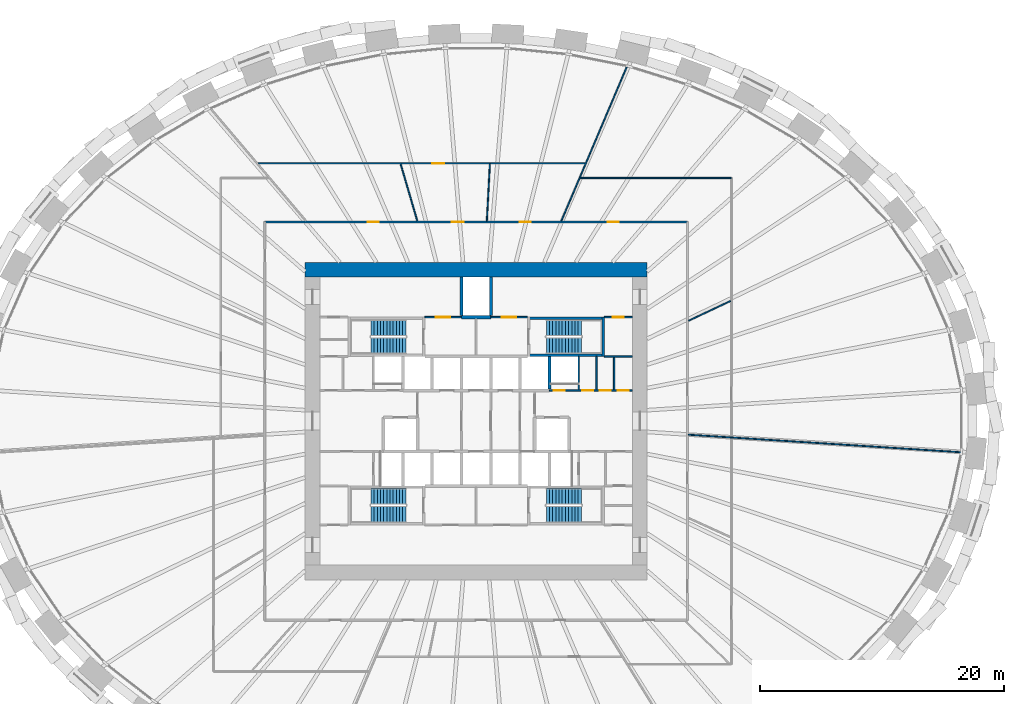
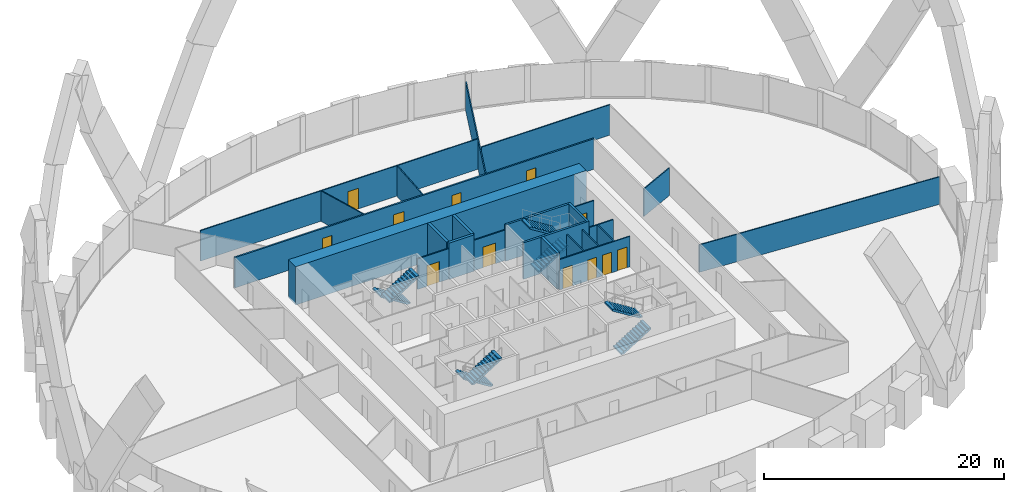
# One storey, part 10 of 12: 24 walls, 12 doors, 8 stair flights, 12 openings, 4 elements without a shape of their own.
"""IFC4 building model written with IfcOpenShell, lengths in metres."""

from ifc_helpers import new_model, si_unit, direction, frame, frame_2d, origin, place, context, subcontext, project, spatial, polyline, rectangle, outline, extrude, source, transform, mapped, material, layer, layer_set, type_object, element, fill, aggregate, save


model = new_model("IFC4")

# Units and contexts
model_context = context("Model", 3, precision=1e-05, world=origin(), true_north=direction((0.0, 1.0)))
body_context = subcontext(model_context, "Body", "Model", "MODEL_VIEW")
ifc_project = project(units=[si_unit("LENGTHUNIT", "METRE"), si_unit("AREAUNIT", "SQUARE_METRE"), si_unit("VOLUMEUNIT", "CUBIC_METRE"), si_unit("PLANEANGLEUNIT", "RADIAN"), si_unit("MASSUNIT", "GRAM", prefix="KILO")], contexts=[model_context])

# Site, building, storey
site_placement = place(None, origin())
site = spatial("IfcSite", under=ifc_project, at=site_placement, CompositionType="ELEMENT")
building_placement = place(site_placement, origin())
building = spatial("IfcBuilding", under=site, at=building_placement, Name="Embergate Tower", CompositionType="ELEMENT")
storey_placement = place(building_placement, frame((0.0, 0.0, 85.39990234375)))
storey = spatial("IfcBuildingStorey", under=building, at=storey_placement, Name="L17", CompositionType="ELEMENT", Elevation=85.39990234375)

# Wall
ifc_material_1 = material(Name="Concrete C80", Category="concrete")
ifc_layer_1 = layer(ifc_material_1, 1.199951171875)
ifc_layer_set_1 = layer_set([ifc_layer_1], Name="Concrete C80")
wall_type_1 = type_object("IfcWallType", Name="Core outer wall C80 1200", PredefinedType="SHEAR", material=ifc_layer_set_1)
shared_shape_1 = source(origin(), body_context, "Body", "SweptSolid", [
    extrude(rectangle(XDim=28.0, YDim=1.199951171875, at=frame_2d((14.0, 0.0))), origin(), (0.0, 0.0, 1.0), 3.900146484375),
])
wall_1_placement = place(storey_placement, frame((-14.0, 12.39990234375, -0.199951171875), z_axis=(0.0, 0.0, 1.0), x_axis=(1.0, 0.0, 0.0)))
element("IfcWall", 1, at=wall_1_placement, inside=storey, type_object=wall_type_1, Name="CW-L17-N", PredefinedType="SHEAR", context=body_context, shape_type="MappedRepresentation", body=[
    mapped(shared_shape_1, transform((0.0, 0.0, 0.0))),
])

# Wall, openings, doors
ifc_material_2 = material(Name="Core partition blockwork 120")
ifc_layer_2 = layer(ifc_material_2, 0.1201171875)
ifc_layer_set_2 = layer_set([ifc_layer_2], Name="Core partition blockwork 120")
wall_type_2 = type_object("IfcWallType", Name="Core partition blockwork 120", PredefinedType="PARTITIONING", material=ifc_layer_set_2)
shared_shape_2 = source(origin(), body_context, "Body", "SweptSolid", [
    extrude(rectangle(XDim=6.800048828125, YDim=0.1201171875, at=frame_2d((3.39990234375, 0.0))), origin(), (0.0, 0.0, 1.0), 3.10009765625),
])
wall_2_placement = place(storey_placement, frame((6.0, 2.5, 0.0), z_axis=(0.0, 0.0, 1.0), x_axis=(1.0, 0.0, 0.0)))
wall_2 = element("IfcWall", 2, at=wall_2_placement, inside=storey, type_object=wall_type_2, Name="IP-3 wall", PredefinedType="PARTITIONING", context=body_context, shape_type="MappedRepresentation", body=[
    mapped(shared_shape_2, transform((0.0, 0.0, 0.0))),
])
shared_shape_3 = source(origin(), body_context, "Body", "SweptSolid", [
    extrude(rectangle(XDim=0.89990234375, YDim=2.10009765625, at=frame_2d((0.449951171875, 1.050048828125))), frame((0.0, 0.070068359375, 0.0), z_axis=(0.0, -1.0, 0.0), x_axis=(1.0, 0.0, 0.0)), (0.0, 0.0, 1.0), 0.14013671875),
])
opening_1_placement = place(wall_2_placement, frame((0.35009765625, 0.0, 0.0)))
opening_1 = element("IfcOpeningElement", 3, at=opening_1_placement, cuts=wall_2, Name="Opening ID-1", PredefinedType="OPENING", context=body_context, shape_type="MappedRepresentation", body=[
    mapped(shared_shape_3, transform((0.0, 0.0, 0.0))),
])
opening_2_placement = place(wall_2_placement, frame((2.676025390625, 0.0, 0.0)))
opening_2 = element("IfcOpeningElement", 4, at=opening_2_placement, cuts=wall_2, Name="Opening ID-1", PredefinedType="OPENING", context=body_context, shape_type="MappedRepresentation", body=[
    mapped(shared_shape_3, transform((0.0, 0.0, 0.0))),
])
opening_3_placement = place(wall_2_placement, frame((4.1279296875, 0.0, 0.0)))
opening_3 = element("IfcOpeningElement", 5, at=opening_3_placement, cuts=wall_2, Name="Opening ID-1", PredefinedType="OPENING", context=body_context, shape_type="MappedRepresentation", body=[
    mapped(shared_shape_3, transform((0.0, 0.0, 0.0))),
])
opening_4_placement = place(wall_2_placement, frame((5.60205078125, 0.0, 0.0)))
opening_4 = element("IfcOpeningElement", 6, at=opening_4_placement, cuts=wall_2, Name="Opening ID-1", PredefinedType="OPENING", context=body_context, shape_type="MappedRepresentation", body=[
    mapped(shared_shape_3, transform((0.0, 0.0, 0.0))),
])
ifc_material_3 = material(Name="Interior door 900")
door_type_1 = type_object("IfcDoorType", Name="Interior door 900", OperationType="SINGLE_SWING_LEFT", PredefinedType="DOOR", material=ifc_material_3)
shared_shape_4 = source(origin(), body_context, "Body", "SweptSolid", [
    extrude(rectangle(XDim=0.89990234375, YDim=2.10009765625, at=frame_2d((0.449951171875, 1.050048828125))), frame((0.0, 0.02490234375, 0.0), z_axis=(0.0, -1.0, 0.0), x_axis=(1.0, 0.0, 0.0)), (0.0, 0.0, 1.0), 0.050048828125),
])
door_1_placement = place(opening_1_placement, origin())
door_1 = element("IfcDoor", 7, at=door_1_placement, inside=storey, type_object=door_type_1, Name="ID-1 door", OperationType="SINGLE_SWING_LEFT", OverallHeight=2.10009765625, OverallWidth=0.89990234375, PredefinedType="DOOR", context=body_context, shape_type="MappedRepresentation", body=[
    mapped(shared_shape_4, transform((0.0, 0.0, 0.0))),
])
fill(opening_1, door_1)
door_2_placement = place(opening_2_placement, origin())
door_2 = element("IfcDoor", 8, at=door_2_placement, inside=storey, type_object=door_type_1, Name="ID-1 door", OperationType="SINGLE_SWING_RIGHT", OverallHeight=2.10009765625, OverallWidth=0.89990234375, PredefinedType="DOOR", context=body_context, shape_type="MappedRepresentation", body=[
    mapped(shared_shape_4, transform((0.0, 0.0, 0.0))),
])
fill(opening_2, door_2)
door_3_placement = place(opening_3_placement, origin())
door_3 = element("IfcDoor", 9, at=door_3_placement, inside=storey, type_object=door_type_1, Name="ID-1 door", OperationType="SINGLE_SWING_RIGHT", OverallHeight=2.10009765625, OverallWidth=0.89990234375, PredefinedType="DOOR", context=body_context, shape_type="MappedRepresentation", body=[
    mapped(shared_shape_4, transform((0.0, 0.0, 0.0))),
])
fill(opening_3, door_3)
door_4_placement = place(opening_4_placement, origin())
door_4 = element("IfcDoor", 10, at=door_4_placement, inside=storey, type_object=door_type_1, Name="ID-1 door", OperationType="SINGLE_SWING_LEFT", OverallHeight=2.10009765625, OverallWidth=0.89990234375, PredefinedType="DOOR", context=body_context, shape_type="MappedRepresentation", body=[
    mapped(shared_shape_4, transform((0.0, 0.0, 0.0))),
])
fill(opening_4, door_4)

# Walls
shared_shape_5 = source(origin(), body_context, "Body", "SweptSolid", [
    extrude(rectangle(XDim=2.739990234375, YDim=0.1201171875, at=frame_2d((1.3701171875, 0.0))), origin(), (0.0, 0.0, 1.0), 3.10009765625),
])
for number, where, z_axis, x_axis, name in (
    (11, (8.39990234375, 2.56005859375, 0.0), (0.0, 0.0, 1.0), (0.0, 1.0, 0.0), "IP-3 wall"),
    (12, (9.85205078125, 2.56005859375, 0.0), (0.0, 0.0, 1.0), (0.0, 1.0, 0.0), "IP-3 wall"),
):
    element("IfcWall", number, at=place(storey_placement, frame(where, z_axis=z_axis, x_axis=x_axis)), inside=storey, type_object=wall_type_2, Name=name, PredefinedType="PARTITIONING", context=body_context, shape_type="MappedRepresentation", body=[
        mapped(shared_shape_5, transform((0.0, 0.0, 0.0))),
    ])

# Wall, opening, door
shared_shape_6 = source(origin(), body_context, "Body", "SweptSolid", [
    extrude(rectangle(XDim=3.0, YDim=0.1201171875, at=frame_2d((1.5, 0.0))), origin(), (0.0, 0.0, 1.0), 3.10009765625),
])
wall_3_placement = place(storey_placement, frame((-1.199951171875, 8.5, 0.0), z_axis=(0.0, 0.0, 1.0), x_axis=(-1.0, 0.0, 0.0)))
wall_3 = element("IfcWall", 13, at=wall_3_placement, inside=storey, type_object=wall_type_2, Name="IP-3 wall", PredefinedType="PARTITIONING", context=body_context, shape_type="MappedRepresentation", body=[
    mapped(shared_shape_6, transform((0.0, 0.0, 0.0))),
])
shared_shape_7 = source(origin(), body_context, "Body", "SweptSolid", [
    extrude(rectangle(XDim=1.199951171875, YDim=2.10009765625, at=frame_2d((0.60009765625, 1.050048828125))), frame((0.0, 0.070068359375, 0.0), z_axis=(0.0, -1.0, 0.0), x_axis=(1.0, 0.0, 0.0)), (0.0, 0.0, 1.0), 0.14013671875),
])
opening_5_placement = place(wall_3_placement, frame((0.89990234375, 0.0, 0.0)))
opening_5 = element("IfcOpeningElement", 14, at=opening_5_placement, cuts=wall_3, Name="Opening IF-3f", PredefinedType="OPENING", context=body_context, shape_type="MappedRepresentation", body=[
    mapped(shared_shape_7, transform((0.0, 0.0, 0.0))),
])
ifc_material_4 = material(Name="Lobby fire door pair 1200")
door_type_2 = type_object("IfcDoorType", Name="Lobby fire door pair 1200", OperationType="DOUBLE_DOOR_SINGLE_SWING", PredefinedType="DOOR", material=ifc_material_4)
shared_shape_8 = source(origin(), body_context, "Body", "SweptSolid", [
    extrude(rectangle(XDim=1.199951171875, YDim=2.10009765625, at=frame_2d((0.60009765625, 1.050048828125))), frame((0.0, 0.02490234375, 0.0), z_axis=(0.0, -1.0, 0.0), x_axis=(1.0, 0.0, 0.0)), (0.0, 0.0, 1.0), 0.050048828125),
])
door_5_placement = place(opening_5_placement, origin())
door_5 = element("IfcDoor", 15, at=door_5_placement, inside=storey, type_object=door_type_2, Name="IF-3 door", OperationType="DOUBLE_DOOR_SINGLE_SWING", OverallHeight=2.10009765625, OverallWidth=1.199951171875, PredefinedType="DOOR", context=body_context, shape_type="MappedRepresentation", body=[
    mapped(shared_shape_8, transform((0.0, 0.0, 0.0))),
])
fill(opening_5, door_5)

wall_4_placement = place(storey_placement, frame((4.199951171875, 8.5, 0.0), z_axis=(0.0, 0.0, 1.0), x_axis=(-1.0, 0.0, 0.0)))
wall_4 = element("IfcWall", 16, at=wall_4_placement, inside=storey, type_object=wall_type_2, Name="IP-3 wall", PredefinedType="PARTITIONING", context=body_context, shape_type="MappedRepresentation", body=[
    mapped(shared_shape_6, transform((0.0, 0.0, 0.0))),
])
opening_6_placement = place(wall_4_placement, frame((0.89990234375, 0.0, 0.0)))
opening_6 = element("IfcOpeningElement", 17, at=opening_6_placement, cuts=wall_4, Name="Opening IF-3f", PredefinedType="OPENING", context=body_context, shape_type="MappedRepresentation", body=[
    mapped(shared_shape_7, transform((0.0, 0.0, 0.0))),
])
door_6_placement = place(opening_6_placement, origin())
door_6 = element("IfcDoor", 18, at=door_6_placement, inside=storey, type_object=door_type_2, Name="IF-3 door", OperationType="DOUBLE_DOOR_SINGLE_SWING", OverallHeight=2.10009765625, OverallWidth=1.199951171875, PredefinedType="DOOR", context=body_context, shape_type="MappedRepresentation", body=[
    mapped(shared_shape_8, transform((0.0, 0.0, 0.0))),
])
fill(opening_6, door_6)

shared_shape_9 = source(origin(), body_context, "Body", "SweptSolid", [
    extrude(rectangle(XDim=2.300048828125, YDim=0.1201171875, at=frame_2d((1.14990234375, 0.0))), origin(), (0.0, 0.0, 1.0), 3.10009765625),
])
wall_5_placement = place(storey_placement, frame((10.5, 8.5, 0.0), z_axis=(0.0, 0.0, 1.0), x_axis=(1.0, 0.0, 0.0)))
wall_5 = element("IfcWall", 19, at=wall_5_placement, inside=storey, type_object=wall_type_2, Name="IP-3 wall", PredefinedType="PARTITIONING", context=body_context, shape_type="MappedRepresentation", body=[
    mapped(shared_shape_9, transform((0.0, 0.0, 0.0))),
])
opening_7_placement = place(wall_5_placement, frame((0.699951171875, 0.0, 0.0)))
opening_7 = element("IfcOpeningElement", 20, at=opening_7_placement, cuts=wall_5, Name="Opening ID-1", PredefinedType="OPENING", context=body_context, shape_type="MappedRepresentation", body=[
    mapped(shared_shape_3, transform((0.0, 0.0, 0.0))),
])
door_7_placement = place(opening_7_placement, origin())
door_7 = element("IfcDoor", 21, at=door_7_placement, inside=storey, type_object=door_type_1, Name="ID-1 door", OperationType="SINGLE_SWING_RIGHT", OverallHeight=2.10009765625, OverallWidth=0.89990234375, PredefinedType="DOOR", context=body_context, shape_type="MappedRepresentation", body=[
    mapped(shared_shape_4, transform((0.0, 0.0, 0.0))),
])
fill(opening_7, door_7)

# Walls
wall_6_placement = place(storey_placement, frame((12.800048828125, 5.300048828125, 0.0), z_axis=(0.0, 0.0, 1.0), x_axis=(-1.0, 0.0, 0.0)))
element("IfcWall", 22, at=wall_6_placement, inside=storey, type_object=wall_type_2, Name="IP-3 wall", PredefinedType="PARTITIONING", context=body_context, shape_type="MappedRepresentation", body=[
    mapped(shared_shape_9, transform((0.0, 0.0, 0.0))),
])
shared_shape_10 = source(origin(), body_context, "Body", "SweptSolid", [
    extrude(rectangle(XDim=2.679931640625, YDim=0.1201171875, at=frame_2d((1.33984375, 0.0))), origin(), (0.0, 0.0, 1.0), 3.10009765625),
])
wall_7_placement = place(storey_placement, frame((11.303955078125, 2.56005859375, 0.0), z_axis=(0.0, 0.0, 1.0), x_axis=(0.0, 1.0, 0.0)))
element("IfcWall", 23, at=wall_7_placement, inside=storey, type_object=wall_type_2, Name="IP-3 wall", PredefinedType="PARTITIONING", context=body_context, shape_type="MappedRepresentation", body=[
    mapped(shared_shape_10, transform((0.0, 0.0, 0.0))),
])
ifc_material_5 = material(Name="Concrete C50", Category="concrete")
ifc_layer_3 = layer(ifc_material_5, 0.25)
ifc_layer_set_3 = layer_set([ifc_layer_3], Name="Concrete C50")
wall_type_3 = type_object("IfcWallType", Name="Hoistway wall reinforced concrete 250", PredefinedType="SHEAR", material=ifc_layer_set_3)
shared_shape_11 = source(origin(), body_context, "Body", "SweptSolid", [
    extrude(rectangle(XDim=2.675048828125, YDim=0.25, at=frame_2d((1.33740234375, 0.0))), origin(), (0.0, 0.0, 1.0), 3.7001953125),
])
wall_8_placement = place(storey_placement, frame((6.0, 2.625, 0.0), z_axis=(0.0, 0.0, 1.0), x_axis=(0.0, 1.0, 0.0)))
element("IfcWall", 24, at=wall_8_placement, inside=storey, type_object=wall_type_3, Name="HW-1 wall", PredefinedType="SHEAR", context=body_context, shape_type="MappedRepresentation", body=[
    mapped(shared_shape_11, transform((0.0, 0.0, 0.0))),
])
ifc_layer_4 = layer(ifc_material_5, 0.199951171875)
ifc_layer_set_4 = layer_set([ifc_layer_4], Name="Concrete C50")
wall_type_4 = type_object("IfcWallType", Name="Stair enclosure wall reinforced concrete 250", PredefinedType="SHEAR", material=ifc_layer_set_4)
shared_shape_12 = source(origin(), body_context, "Body", "SweptSolid", [
    extrude(rectangle(XDim=6.300048828125, YDim=0.199951171875, at=frame_2d((3.14990234375, 0.0))), origin(), (0.0, 0.0, 1.0), 3.7001953125),
])
for number, where, z_axis, x_axis, name in (
    (25, (10.5, 5.39990234375, 0.0), (0.0, 0.0, 1.0), (-1.0, 0.0, 0.0), "SE-1 wall"),
    (26, (10.5, 8.39990234375, 0.0), (0.0, 0.0, 1.0), (-1.0, 0.0, 0.0), "SE-1 wall"),
):
    element("IfcWall", number, at=place(storey_placement, frame(where, z_axis=z_axis, x_axis=x_axis)), inside=storey, type_object=wall_type_4, Name=name, PredefinedType="SHEAR", context=body_context, shape_type="MappedRepresentation", body=[
        mapped(shared_shape_12, transform((0.0, 0.0, 0.0))),
    ])
shared_shape_13 = source(origin(), body_context, "Body", "SweptSolid", [
    extrude(rectangle(XDim=3.199951171875, YDim=0.199951171875, at=frame_2d((1.60009765625, 0.0))), origin(), (0.0, 0.0, 1.0), 3.7001953125),
])
wall_9_placement = place(storey_placement, frame((10.39990234375, 5.300048828125, 0.0), z_axis=(0.0, 0.0, 1.0), x_axis=(0.0, 1.0, 0.0)))
element("IfcWall", 27, at=wall_9_placement, inside=storey, type_object=wall_type_4, Name="SE-1 wall", PredefinedType="SHEAR", context=body_context, shape_type="MappedRepresentation", body=[
    mapped(shared_shape_13, transform((0.0, 0.0, 0.0))),
])
shared_shape_14 = source(origin(), body_context, "Body", "SweptSolid", [
    extrude(rectangle(XDim=2.39990234375, YDim=0.25, at=frame_2d((1.199951171875, 0.0))), origin(), (0.0, 0.0, 1.0), 3.7001953125),
])
wall_10_placement = place(storey_placement, frame((1.199951171875, 8.5, 0.0), z_axis=(0.0, 0.0, 1.0), x_axis=(-1.0, 0.0, 0.0)))
element("IfcWall", 28, at=wall_10_placement, inside=storey, type_object=wall_type_3, Name="HW-1 wall", PredefinedType="SHEAR", context=body_context, shape_type="MappedRepresentation", body=[
    mapped(shared_shape_14, transform((0.0, 0.0, 0.0))),
])
shared_shape_15 = source(origin(), body_context, "Body", "SweptSolid", [
    extrude(rectangle(XDim=3.175048828125, YDim=0.25, at=frame_2d((1.58740234375, 0.0))), origin(), (0.0, 0.0, 1.0), 3.7001953125),
])
for number, where, z_axis, x_axis, name in (
    (29, (-1.199951171875, 8.625, 0.0), (0.0, 0.0, 1.0), (0.0, 1.0, 0.0), "HW-1 wall"),
    (30, (1.199951171875, 11.800048828125, 0.0), (0.0, 0.0, 1.0), (0.0, -1.0, 0.0), "HW-1 wall"),
):
    element("IfcWall", number, at=place(storey_placement, frame(where, z_axis=z_axis, x_axis=x_axis)), inside=storey, type_object=wall_type_3, Name=name, PredefinedType="SHEAR", context=body_context, shape_type="MappedRepresentation", body=[
        mapped(shared_shape_15, transform((0.0, 0.0, 0.0))),
    ])

# Wall, openings, doors
ifc_material_6 = material(Name="Corridor wall dry-lined 150")
ifc_layer_5 = layer(ifc_material_6, 0.14990234375)
ifc_layer_set_5 = layer_set([ifc_layer_5], Name="Corridor wall dry-lined 150")
wall_type_5 = type_object("IfcWallType", Name="Corridor wall dry-lined 150", PredefinedType="PARTITIONING", material=ifc_layer_set_5)
shared_shape_16 = source(origin(), body_context, "Body", "SweptSolid", [
    extrude(rectangle(XDim=34.60009765625, YDim=0.14990234375, at=frame_2d((17.300048828125, 0.0))), origin(), (0.0, 0.0, 1.0), 3.10009765625),
])
wall_11_placement = place(storey_placement, frame((-17.300048828125, 16.300048828125, 0.0), z_axis=(0.0, 0.0, 1.0), x_axis=(1.0, 0.0, 0.0)))
wall_11 = element("IfcWall", 31, at=wall_11_placement, inside=storey, type_object=wall_type_5, Name="IP-2 wall", PredefinedType="PARTITIONING", context=body_context, shape_type="MappedRepresentation", body=[
    mapped(shared_shape_16, transform((0.0, 0.0, 0.0))),
])
shared_shape_17 = source(origin(), body_context, "Body", "SweptSolid", [
    extrude(rectangle(XDim=0.89990234375, YDim=2.10009765625, at=frame_2d((0.449951171875, 1.050048828125))), frame((0.0, 0.0849609375, 0.0), z_axis=(0.0, -1.0, 0.0), x_axis=(1.0, 0.0, 0.0)), (0.0, 0.0, 1.0), 0.169921875),
])
opening_8_placement = place(wall_11_placement, frame((28.0810546875, 0.0, 0.0)))
opening_8 = element("IfcOpeningElement", 32, at=opening_8_placement, cuts=wall_11, Name="Opening IF-1c", PredefinedType="OPENING", context=body_context, shape_type="MappedRepresentation", body=[
    mapped(shared_shape_17, transform((0.0, 0.0, 0.0))),
])
opening_9_placement = place(wall_11_placement, frame((20.89111328125, 0.0, 0.0)))
opening_9 = element("IfcOpeningElement", 33, at=opening_9_placement, cuts=wall_11, Name="Opening IF-1c", PredefinedType="OPENING", context=body_context, shape_type="MappedRepresentation", body=[
    mapped(shared_shape_17, transform((0.0, 0.0, 0.0))),
])
shared_shape_18 = source(origin(), body_context, "Body", "SweptSolid", [
    extrude(rectangle(XDim=1.0, YDim=2.10009765625, at=frame_2d((0.5, 1.050048828125))), frame((0.0, 0.0849609375, 0.0), z_axis=(0.0, -1.0, 0.0), x_axis=(1.0, 0.0, 0.0)), (0.0, 0.0, 1.0), 0.169921875),
])
opening_10_placement = place(wall_11_placement, frame((15.2890625, 0.0, 0.0)))
opening_10 = element("IfcOpeningElement", 34, at=opening_10_placement, cuts=wall_11, Name="Opening ID-2", PredefinedType="OPENING", context=body_context, shape_type="MappedRepresentation", body=[
    mapped(shared_shape_18, transform((0.0, 0.0, 0.0))),
])
opening_11_placement = place(wall_11_placement, frame((8.43896484375, 0.0, 0.0)))
opening_11 = element("IfcOpeningElement", 35, at=opening_11_placement, cuts=wall_11, Name="Opening IF-1c", PredefinedType="OPENING", context=body_context, shape_type="MappedRepresentation", body=[
    mapped(shared_shape_17, transform((0.0, 0.0, 0.0))),
])
ifc_material_7 = material(Name="Escape fire door 900")
door_type_3 = type_object("IfcDoorType", Name="Escape fire door 900", OperationType="SINGLE_SWING_LEFT", PredefinedType="DOOR", material=ifc_material_7)
door_8_placement = place(opening_8_placement, origin())
door_8 = element("IfcDoor", 36, at=door_8_placement, inside=storey, type_object=door_type_3, Name="IF-1 door", OperationType="SINGLE_SWING_RIGHT", OverallHeight=2.10009765625, OverallWidth=0.89990234375, PredefinedType="DOOR", context=body_context, shape_type="MappedRepresentation", body=[
    mapped(shared_shape_4, transform((0.0, 0.0, 0.0))),
])
fill(opening_8, door_8)
door_9_placement = place(opening_9_placement, origin())
door_9 = element("IfcDoor", 37, at=door_9_placement, inside=storey, type_object=door_type_3, Name="IF-1 door", OperationType="SINGLE_SWING_LEFT", OverallHeight=2.10009765625, OverallWidth=0.89990234375, PredefinedType="DOOR", context=body_context, shape_type="MappedRepresentation", body=[
    mapped(shared_shape_4, transform((0.0, 0.0, 0.0))),
])
fill(opening_9, door_9)
door_10_placement = place(opening_11_placement, origin())
door_10 = element("IfcDoor", 38, at=door_10_placement, inside=storey, type_object=door_type_3, Name="IF-1 door", OperationType="SINGLE_SWING_LEFT", OverallHeight=2.10009765625, OverallWidth=0.89990234375, PredefinedType="DOOR", context=body_context, shape_type="MappedRepresentation", body=[
    mapped(shared_shape_4, transform((0.0, 0.0, 0.0))),
])
fill(opening_11, door_10)
ifc_material_8 = material(Name="Interior door 1000")
door_type_4 = type_object("IfcDoorType", Name="Interior door 1000", OperationType="SINGLE_SWING_LEFT", PredefinedType="DOOR", material=ifc_material_8)
shared_shape_19 = source(origin(), body_context, "Body", "SweptSolid", [
    extrude(rectangle(XDim=1.0, YDim=2.10009765625, at=frame_2d((0.5, 1.050048828125))), frame((0.0, 0.02490234375, 0.0), z_axis=(0.0, -1.0, 0.0), x_axis=(1.0, 0.0, 0.0)), (0.0, 0.0, 1.0), 0.050048828125),
])
door_11_placement = place(opening_10_placement, origin())
door_11 = element("IfcDoor", 39, at=door_11_placement, inside=storey, type_object=door_type_4, Name="ID-2 door", OperationType="SINGLE_SWING_LEFT", OverallHeight=2.10009765625, OverallWidth=1.0, PredefinedType="DOOR", context=body_context, shape_type="MappedRepresentation", body=[
    mapped(shared_shape_19, transform((0.0, 0.0, 0.0))),
])
fill(opening_10, door_11)

# Walls
ifc_material_9 = material(Name="Partition dry-lined 100")
ifc_layer_6 = layer(ifc_material_9, 0.10009765625)
ifc_layer_set_6 = layer_set([ifc_layer_6], Name="Partition dry-lined 100")
wall_type_6 = type_object("IfcWallType", Name="Partition dry-lined 100", PredefinedType="PARTITIONING", material=ifc_layer_set_6)
shared_shape_20 = source(origin(), body_context, "Body", "SweptSolid", [
    extrude(rectangle(XDim=22.39013671875, YDim=0.10009765625, at=frame_2d((11.195068359375, 0.0))), origin(), (0.0, 0.0, 1.0), 2.800048828125),
])
wall_12_placement = place(storey_placement, frame((17.375, -1.117919921875, 0.0), z_axis=(0.0, 0.0, 1.0), x_axis=(0.997935511043, -0.064223950351, 0.0)))
element("IfcWall", 40, at=wall_12_placement, inside=storey, type_object=wall_type_6, Name="IP-1 wall", PredefinedType="PARTITIONING", context=body_context, shape_type="MappedRepresentation", body=[
    mapped(shared_shape_20, transform((0.0, 0.0, 0.0))),
])
shared_shape_21 = source(origin(), body_context, "Body", "SweptSolid", [
    extrude(rectangle(XDim=3.796142578125, YDim=0.10009765625, at=frame_2d((1.89794921875, 0.0))), origin(), (0.0, 0.0, 1.0), 2.800048828125),
])
wall_13_placement = place(storey_placement, frame((17.39599609375, 8.2099609375, 0.0), z_axis=(0.0, 0.0, 1.0), x_axis=(0.904357603074, 0.42677549808, 0.0)))
element("IfcWall", 41, at=wall_13_placement, inside=storey, type_object=wall_type_6, Name="IP-1 wall", PredefinedType="PARTITIONING", context=body_context, shape_type="MappedRepresentation", body=[
    mapped(shared_shape_21, transform((0.0, 0.0, 0.0))),
])
shared_shape_22 = source(origin(), body_context, "Body", "SweptSolid", [
    extrude(rectangle(XDim=12.35693359375, YDim=0.10009765625, at=frame_2d((6.178466796875, 0.0))), origin(), (0.0, 0.0, 1.0), 3.10009765625),
])
wall_14_placement = place(storey_placement, frame((8.54296875, 19.89990234375, 0.0), z_axis=(0.0, 0.0, 1.0), x_axis=(1.0, 0.0, 0.0)))
element("IfcWall", 42, at=wall_14_placement, inside=storey, type_object=wall_type_6, Name="IP-1 wall", PredefinedType="PARTITIONING", context=body_context, shape_type="MappedRepresentation", body=[
    mapped(shared_shape_22, transform((0.0, 0.0, 0.0))),
])
shared_shape_23 = source(origin(), body_context, "Body", "SweptSolid", [
    extrude(rectangle(XDim=4.681640625, YDim=0.10009765625, at=frame_2d((2.3408203125, 0.0))), origin(), (0.0, 0.0, 1.0), 3.10009765625),
])
wall_15_placement = place(storey_placement, frame((0.876953125, 16.375, 0.0), z_axis=(0.0, 0.0, 1.0), x_axis=(0.053399081376, 0.998573251248, 0.0)))
element("IfcWall", 43, at=wall_15_placement, inside=storey, type_object=wall_type_6, Name="IP-1 wall", PredefinedType="PARTITIONING", context=body_context, shape_type="MappedRepresentation", body=[
    mapped(shared_shape_23, transform((0.0, 0.0, 0.0))),
])

# Wall, opening, door
shared_shape_24 = source(origin(), body_context, "Body", "SweptSolid", [
    extrude(rectangle(XDim=26.72119140625, YDim=0.10009765625, at=frame_2d((13.360595703125, 0.0))), origin(), (0.0, 0.0, 1.0), 3.10009765625),
])
wall_16_placement = place(storey_placement, frame((-17.819091796875, 21.10009765625, 0.0), z_axis=(0.0, 0.0, 1.0), x_axis=(1.0, 0.0, 0.0)))
wall_16 = element("IfcWall", 44, at=wall_16_placement, inside=storey, type_object=wall_type_6, Name="IP-1 wall", PredefinedType="PARTITIONING", context=body_context, shape_type="MappedRepresentation", body=[
    mapped(shared_shape_24, transform((0.0, 0.0, 0.0))),
])
shared_shape_25 = source(origin(), body_context, "Body", "SweptSolid", [
    extrude(rectangle(XDim=1.0, YDim=2.10009765625, at=frame_2d((0.5, 1.050048828125))), frame((0.0, 0.06005859375, 0.0), z_axis=(0.0, -1.0, 0.0), x_axis=(1.0, 0.0, 0.0)), (0.0, 0.0, 1.0), 0.1201171875),
])
opening_12_placement = place(wall_16_placement, frame((14.211669921875, 0.0, 0.0)))
opening_12 = element("IfcOpeningElement", 45, at=opening_12_placement, cuts=wall_16, Name="Opening ID-2", PredefinedType="OPENING", context=body_context, shape_type="MappedRepresentation", body=[
    mapped(shared_shape_25, transform((0.0, 0.0, 0.0))),
])
door_12_placement = place(opening_12_placement, origin())
door_12 = element("IfcDoor", 46, at=door_12_placement, inside=storey, type_object=door_type_4, Name="ID-2 door", OperationType="SINGLE_SWING_LEFT", OverallHeight=2.10009765625, OverallWidth=1.0, PredefinedType="DOOR", context=body_context, shape_type="MappedRepresentation", body=[
    mapped(shared_shape_19, transform((0.0, 0.0, 0.0))),
])
fill(opening_12, door_12)

# Walls
shared_shape_26 = source(origin(), body_context, "Body", "SweptSolid", [
    extrude(rectangle(XDim=4.84326171875, YDim=0.10009765625, at=frame_2d((2.421630859375, 0.0))), origin(), (0.0, 0.0, 1.0), 3.10009765625),
])
wall_17_placement = place(storey_placement, frame((-4.81494140625, 16.388916015625, 0.0), z_axis=(0.0, 0.0, 1.0), x_axis=(-0.281830628562, 0.959464171715, 0.0)))
element("IfcWall", 47, at=wall_17_placement, inside=storey, type_object=wall_type_6, Name="IP-1 wall", PredefinedType="PARTITIONING", context=body_context, shape_type="MappedRepresentation", body=[
    mapped(shared_shape_26, transform((0.0, 0.0, 0.0))),
])
shared_shape_27 = source(origin(), body_context, "Body", "SweptSolid", [
    extrude(rectangle(XDim=13.76171875, YDim=0.10009765625, at=frame_2d((6.880859375, 0.0))), origin(), (0.0, 0.0, 1.0), 2.900146484375),
])
wall_18_placement = place(storey_placement, frame((6.97607421875, 16.39501953125, 0.0), z_axis=(0.0, 0.0, 1.0), x_axis=(0.391517771794, 0.92017054635, 0.0)))
element("IfcWall", 48, at=wall_18_placement, inside=storey, type_object=wall_type_6, Name="IP-1 wall", PredefinedType="PARTITIONING", context=body_context, shape_type="MappedRepresentation", body=[
    mapped(shared_shape_27, transform((0.0, 0.0, 0.0))),
])

# Stair, stair flights
ifc_material_10 = material(Name="Exit stair")
stair_type = type_object("IfcStairType", Name="Exit stair", PredefinedType="HALF_TURN_STAIR", material=ifc_material_10)
stair_1_placement = place(storey_placement, origin())
stair_1 = element("IfcStair", 49, at=stair_1_placement, inside=storey, type_object=stair_type, Name="L17 Exit stair 1", PredefinedType="HALF_TURN_STAIR")
ifc_material_11 = material(Name="Concrete C40", Category="concrete")
stair_flight_type = type_object("IfcStairFlightType", Name="Stair flight reinforced concrete", PredefinedType="STRAIGHT", material=ifc_material_11)
shared_shape_28 = source(origin(), body_context, "Body", "SweptSolid", [
    extrude(outline(polyline([(0.0, 0.0), (0.0, 0.16259765625), (0.260009765625, 0.16259765625), (0.260009765625, 0.324951171875), (0.52001953125, 0.324951171875), (0.52001953125, 0.487548828125), (0.780029296875, 0.487548828125), (0.780029296875, 0.64990234375), (1.0400390625, 0.64990234375), (1.0400390625, 0.8125), (1.300048828125, 0.8125), (1.300048828125, 0.97509765625), (1.56005859375, 0.97509765625), (1.56005859375, 1.137451171875), (1.820068359375, 1.137451171875), (1.820068359375, 1.300048828125), (2.080078125, 1.300048828125), (2.080078125, 1.46240234375), (2.340087890625, 1.46240234375), (2.340087890625, 1.625), (2.60009765625, 1.625), (2.60009765625, 1.78759765625), (2.860107421875, 1.78759765625), (2.860107421875, 1.949951171875), (2.860107421875, 1.61083984375), (0.28271484375, 0.0), (0.0, 0.0)])), frame((0.0, 0.675048828125, 0.0), z_axis=(0.0, -1.0, 0.0), x_axis=(1.0, 0.0, 0.0)), (0.0, 0.0, 1.0), 1.35009765625),
])
stair_flight_1_placement = place(storey_placement, frame((-5.75, 7.625, 0.0), z_axis=(0.0, 0.0, 1.0), x_axis=(-1.0, 0.0, 0.0)))
stair_flight_1 = element("IfcStairFlight", 50, at=stair_flight_1_placement, type_object=stair_flight_type, Name="ST1 flight 1", NumberOfRisers=12, NumberOfTreads=11, PredefinedType="STRAIGHT", RiserHeight=0.1625, TreadLength=0.26, context=body_context, shape_type="MappedRepresentation", body=[
    mapped(shared_shape_28, transform((0.0, 0.0, 0.0))),
])
stair_flight_2_placement = place(storey_placement, frame((-8.610107421875, 6.175048828125, 1.9501953125), z_axis=(0.0, 0.0, 1.0), x_axis=(1.0, 0.0, 0.0)))
stair_flight_2 = element("IfcStairFlight", 51, at=stair_flight_2_placement, type_object=stair_flight_type, Name="ST1 flight 2", NumberOfRisers=12, NumberOfTreads=11, PredefinedType="STRAIGHT", RiserHeight=0.1625, TreadLength=0.26, context=body_context, shape_type="MappedRepresentation", body=[
    mapped(shared_shape_28, transform((0.0, 0.0, 0.0))),
])
aggregate(stair_1, [stair_flight_1, stair_flight_2])

stair_2_placement = place(storey_placement, origin())
stair_2 = element("IfcStair", 52, at=stair_2_placement, inside=storey, type_object=stair_type, Name="L17 Exit stair 2", PredefinedType="HALF_TURN_STAIR")
stair_flight_3_placement = place(storey_placement, frame((5.75, 6.175048828125, 0.0), z_axis=(0.0, 0.0, 1.0), x_axis=(1.0, 0.0, 0.0)))
stair_flight_3 = element("IfcStairFlight", 53, at=stair_flight_3_placement, type_object=stair_flight_type, Name="ST2 flight 1", NumberOfRisers=12, NumberOfTreads=11, PredefinedType="STRAIGHT", RiserHeight=0.1625, TreadLength=0.26, context=body_context, shape_type="MappedRepresentation", body=[
    mapped(shared_shape_28, transform((0.0, 0.0, 0.0))),
])
stair_flight_4_placement = place(storey_placement, frame((8.610107421875, 7.625, 1.9501953125), z_axis=(0.0, 0.0, 1.0), x_axis=(-1.0, 0.0, 0.0)))
stair_flight_4 = element("IfcStairFlight", 54, at=stair_flight_4_placement, type_object=stair_flight_type, Name="ST2 flight 2", NumberOfRisers=12, NumberOfTreads=11, PredefinedType="STRAIGHT", RiserHeight=0.1625, TreadLength=0.26, context=body_context, shape_type="MappedRepresentation", body=[
    mapped(shared_shape_28, transform((0.0, 0.0, 0.0))),
])
aggregate(stair_2, [stair_flight_3, stair_flight_4])

stair_3_placement = place(storey_placement, origin())
stair_3 = element("IfcStair", 55, at=stair_3_placement, inside=storey, type_object=stair_type, Name="L17 Exit stair 3", PredefinedType="HALF_TURN_STAIR")
stair_flight_5_placement = place(storey_placement, frame((-5.75, -6.175048828125, 0.0), z_axis=(0.0, 0.0, 1.0), x_axis=(-1.0, 0.0, 0.0)))
stair_flight_5 = element("IfcStairFlight", 56, at=stair_flight_5_placement, type_object=stair_flight_type, Name="ST3 flight 1", NumberOfRisers=12, NumberOfTreads=11, PredefinedType="STRAIGHT", RiserHeight=0.1625, TreadLength=0.26, context=body_context, shape_type="MappedRepresentation", body=[
    mapped(shared_shape_28, transform((0.0, 0.0, 0.0))),
])
stair_flight_6_placement = place(storey_placement, frame((-8.610107421875, -7.625, 1.9501953125), z_axis=(0.0, 0.0, 1.0), x_axis=(1.0, 0.0, 0.0)))
stair_flight_6 = element("IfcStairFlight", 57, at=stair_flight_6_placement, type_object=stair_flight_type, Name="ST3 flight 2", NumberOfRisers=12, NumberOfTreads=11, PredefinedType="STRAIGHT", RiserHeight=0.1625, TreadLength=0.26, context=body_context, shape_type="MappedRepresentation", body=[
    mapped(shared_shape_28, transform((0.0, 0.0, 0.0))),
])
aggregate(stair_3, [stair_flight_5, stair_flight_6])

stair_4_placement = place(storey_placement, origin())
stair_4 = element("IfcStair", 58, at=stair_4_placement, inside=storey, type_object=stair_type, Name="L17 Exit stair 4", PredefinedType="HALF_TURN_STAIR")
stair_flight_7_placement = place(storey_placement, frame((5.75, -7.625, 0.0), z_axis=(0.0, 0.0, 1.0), x_axis=(1.0, 0.0, 0.0)))
stair_flight_7 = element("IfcStairFlight", 59, at=stair_flight_7_placement, type_object=stair_flight_type, Name="ST4 flight 1", NumberOfRisers=12, NumberOfTreads=11, PredefinedType="STRAIGHT", RiserHeight=0.1625, TreadLength=0.26, context=body_context, shape_type="MappedRepresentation", body=[
    mapped(shared_shape_28, transform((0.0, 0.0, 0.0))),
])
stair_flight_8_placement = place(storey_placement, frame((8.610107421875, -6.175048828125, 1.9501953125), z_axis=(0.0, 0.0, 1.0), x_axis=(-1.0, 0.0, 0.0)))
stair_flight_8 = element("IfcStairFlight", 60, at=stair_flight_8_placement, type_object=stair_flight_type, Name="ST4 flight 2", NumberOfRisers=12, NumberOfTreads=11, PredefinedType="STRAIGHT", RiserHeight=0.1625, TreadLength=0.26, context=body_context, shape_type="MappedRepresentation", body=[
    mapped(shared_shape_28, transform((0.0, 0.0, 0.0))),
])
aggregate(stair_4, [stair_flight_7, stair_flight_8])

save(model, "model.ifc")
